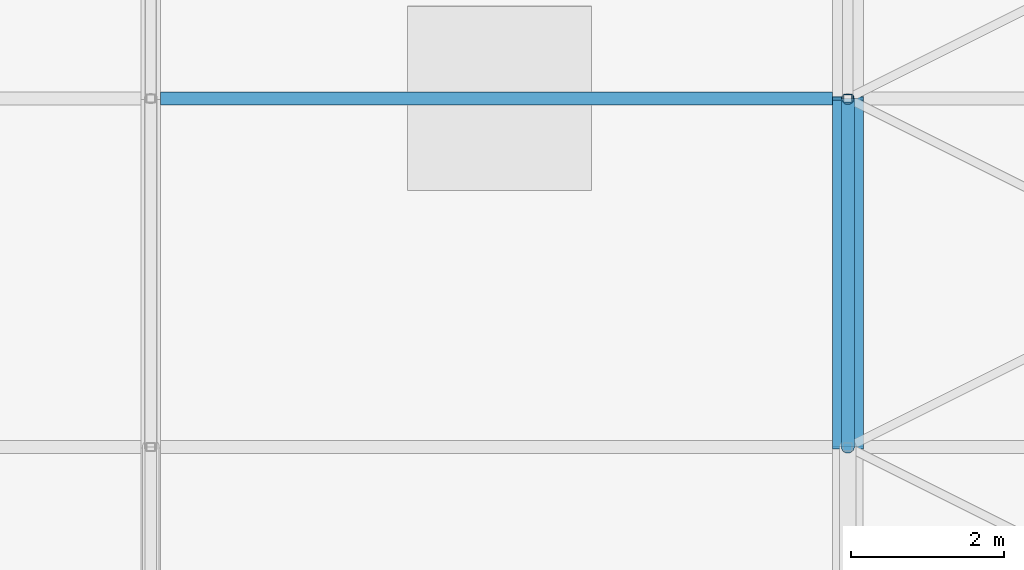
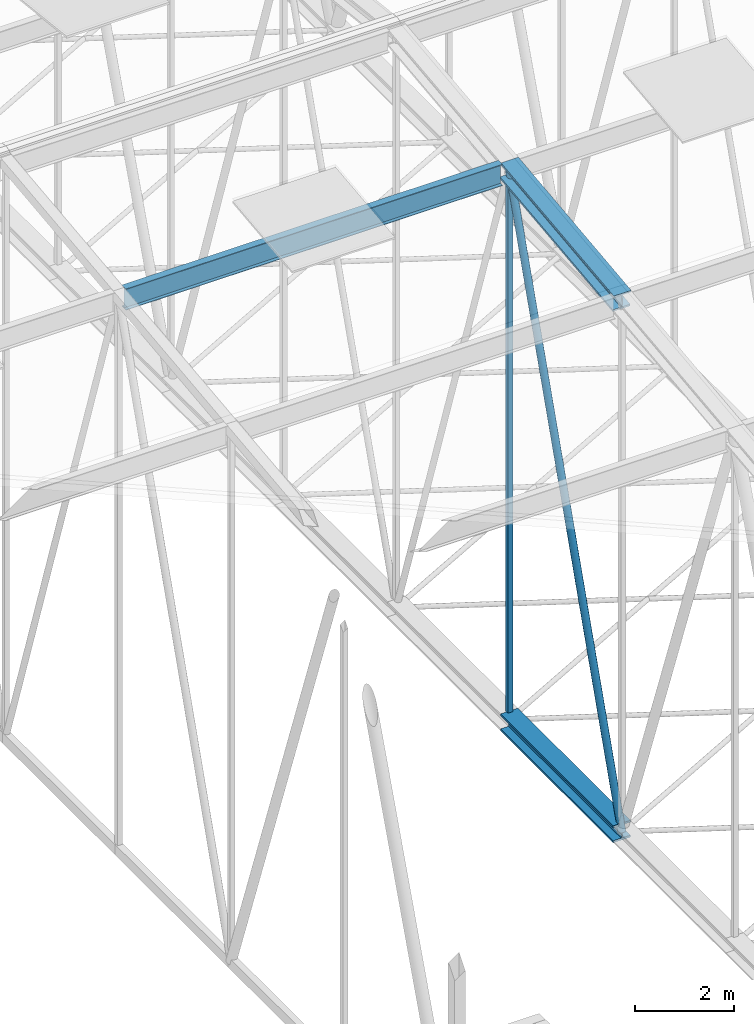
# One storey, part 90 of 500: 5 members.
"""IFC4 building model written with IfcOpenShell, lengths in metres."""

from ifc_helpers import new_model, si_unit, direction, frame, origin, origin_2d, place, context, subcontext, project, spatial, hollow_rectangle, hollow_circle, i_section, extrude, material, material_profile, profile_set, type_object, element, save


model = new_model("IFC4")

# Units and contexts
model_context = context("Model", 3, precision=1e-05, world=origin(), true_north=direction((0.0, 1.0)))
body_context = subcontext(model_context, "Body", "Model", "MODEL_VIEW")
ifc_project = project(units=[si_unit("LENGTHUNIT", "METRE"), si_unit("AREAUNIT", "SQUARE_METRE"), si_unit("VOLUMEUNIT", "CUBIC_METRE"), si_unit("PLANEANGLEUNIT", "RADIAN"), si_unit("MASSUNIT", "GRAM", prefix="KILO")], contexts=[model_context])

# Site, building, storey
site_placement = place(None, origin())
site = spatial("IfcSite", under=ifc_project, at=site_placement, CompositionType="ELEMENT")
building_placement = place(site_placement, origin())
building = spatial("IfcBuilding", under=site, at=building_placement, Name="Shirokan Park Arena", CompositionType="ELEMENT")
storey_placement = place(building_placement, frame((0.0, 0.0, 29.1201171875)))
storey = spatial("IfcBuildingStorey", under=building, at=storey_placement, Name="L06", CompositionType="ELEMENT", Elevation=29.1201171875)

# Members
ifc_material_1 = material(Name="Steel ASTM A992", Category="steel")
ifc_material_profile_1 = material_profile(ifc_material_1, i_section(OverallWidth=0.406005859375, OverallDepth=0.4169921875, WebThickness=0.030029296875, FlangeThickness=0.048095703125, at=origin_2d()), Name="W360X382")
ifc_profile_set_1 = profile_set([ifc_material_profile_1], Name="Steel ASTM A992")
member_type_1 = type_object("IfcMemberType", Name="Bottom chord W360X382", PredefinedType="CHORD", material=ifc_profile_set_1)
member_1_placement = place(storey_placement, frame((45.5, 45.5, 4.677001953125), z_axis=(0.0, 1.0, 0.0), x_axis=(-1.0, 0.0, 0.0)))
element("IfcMember", 1, at=member_1_placement, inside=storey, type_object=member_type_1, Name="Truss T06 bottom chord 13", PredefinedType="CHORD", context=body_context, shape_type="SweptSolid", body=[
    extrude(i_section(OverallWidth=0.406005859375, OverallDepth=0.4169921875, WebThickness=0.030029296875, FlangeThickness=0.048095703125, at=origin_2d()), origin(), (0.0, 0.0, 1.0), 4.550048828125),
])
ifc_material_profile_2 = material_profile(ifc_material_1, i_section(OverallWidth=0.166015625, OverallDepth=0.528076171875, WebThickness=0.009765625, FlangeThickness=0.013671875, at=origin_2d()), Name="W530X74")
ifc_profile_set_2 = profile_set([ifc_material_profile_2], Name="Steel ASTM A992")
member_type_2 = type_object("IfcMemberType", Name="Purlin W530X74", PredefinedType="PURLIN", material=ifc_profile_set_2)
member_2_placement = place(storey_placement, frame((36.527099609375, 50.050048828125, 18.205810546875), z_axis=(1.0, 0.0, 0.0), x_axis=(0.0, 1.0, 0.0)))
element("IfcMember", 2, at=member_2_placement, inside=storey, type_object=member_type_2, Name="Purlin 14 bay 5", PredefinedType="PURLIN", context=body_context, shape_type="SweptSolid", body=[
    extrude(i_section(OverallWidth=0.166015625, OverallDepth=0.528076171875, WebThickness=0.009765625, FlangeThickness=0.013671875, at=origin_2d()), origin(), (0.0, 0.0, 1.0), 8.77001953125),
])
ifc_material_profile_3 = material_profile(ifc_material_1, i_section(OverallWidth=0.406005859375, OverallDepth=0.4169921875, WebThickness=0.030029296875, FlangeThickness=0.048095703125, at=origin_2d()), Name="W360X382")
ifc_profile_set_3 = profile_set([ifc_material_profile_3], Name="Steel ASTM A992")
member_type_3 = type_object("IfcMemberType", Name="Top chord W360X382", PredefinedType="CHORD", material=ifc_profile_set_3)
member_3_placement = place(storey_placement, frame((45.5, 45.5, 17.741455078125), z_axis=(0.0, 0.993532328996, 0.113549598152), x_axis=(-1.0, 0.0, 0.0)))
element("IfcMember", 3, at=member_3_placement, inside=storey, type_object=member_type_3, Name="Truss T06 top chord 13", PredefinedType="CHORD", context=body_context, shape_type="SweptSolid", body=[
    extrude(i_section(OverallWidth=0.406005859375, OverallDepth=0.4169921875, WebThickness=0.030029296875, FlangeThickness=0.048095703125, at=origin_2d()), origin(), (0.0, 0.0, 1.0), 4.57958984375),
])
ifc_material_2 = material(Name="Steel ASTM A500 Grade C", Category="steel")
ifc_material_profile_4 = material_profile(ifc_material_2, hollow_circle(Radius=0.083984375, WallThickness=0.009521484375, at=origin_2d()), Name="HSS168.3X9.5")
ifc_profile_set_4 = profile_set([ifc_material_profile_4], Name="Steel ASTM A500 Grade C")
member_type_4 = type_object("IfcMemberType", Name="Truss diagonal HSS168.3X9.5", PredefinedType="BRACE", material=ifc_profile_set_4)
member_4_placement = place(storey_placement, frame((45.5, 45.5, 4.677001953125), z_axis=(0.0, 0.317602683872, 0.948223884532), x_axis=(-1.0, 0.0, 0.0)))
element("IfcMember", 4, at=member_4_placement, inside=storey, type_object=member_type_4, Name="Truss T06 diagonal 13", PredefinedType="BRACE", context=body_context, shape_type="SweptSolid", body=[
    extrude(hollow_circle(Radius=0.083984375, WallThickness=0.009521484375, at=origin_2d()), origin(), (0.0, 0.0, 1.0), 14.326171875),
])
ifc_material_profile_5 = material_profile(ifc_material_2, hollow_rectangle(XDim=0.114013671875, YDim=0.114013671875, WallThickness=0.00634765625, at=origin_2d()), Name="HSS114.3X114.3X6.4")
ifc_profile_set_5 = profile_set([ifc_material_profile_5], Name="Steel ASTM A500 Grade C")
member_type_5 = type_object("IfcMemberType", Name="Truss post HSS114.3X114.3X6.4", PredefinedType="POST", material=ifc_profile_set_5)
member_5_placement = place(storey_placement, frame((45.5, 50.050048828125, 4.677001953125), z_axis=(0.0, 0.0, 1.0), x_axis=(1.0, 0.0, 0.0)))
element("IfcMember", 5, at=member_5_placement, inside=storey, type_object=member_type_5, Name="Truss T06 post 14", PredefinedType="POST", context=body_context, shape_type="SweptSolid", body=[
    extrude(hollow_rectangle(XDim=0.114013671875, YDim=0.114013671875, WallThickness=0.00634765625, at=origin_2d()), origin(), (0.0, 0.0, 1.0), 13.58447265625),
])

save(model, "model.ifc")
